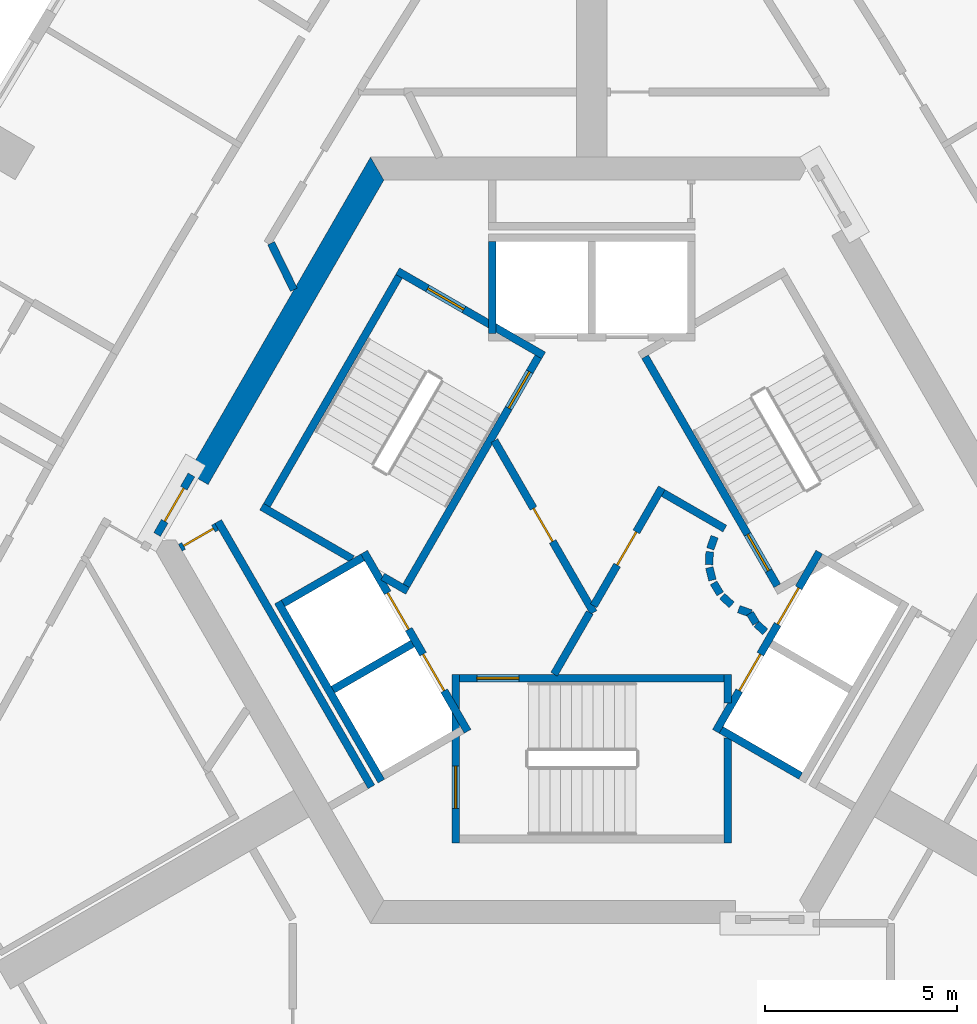
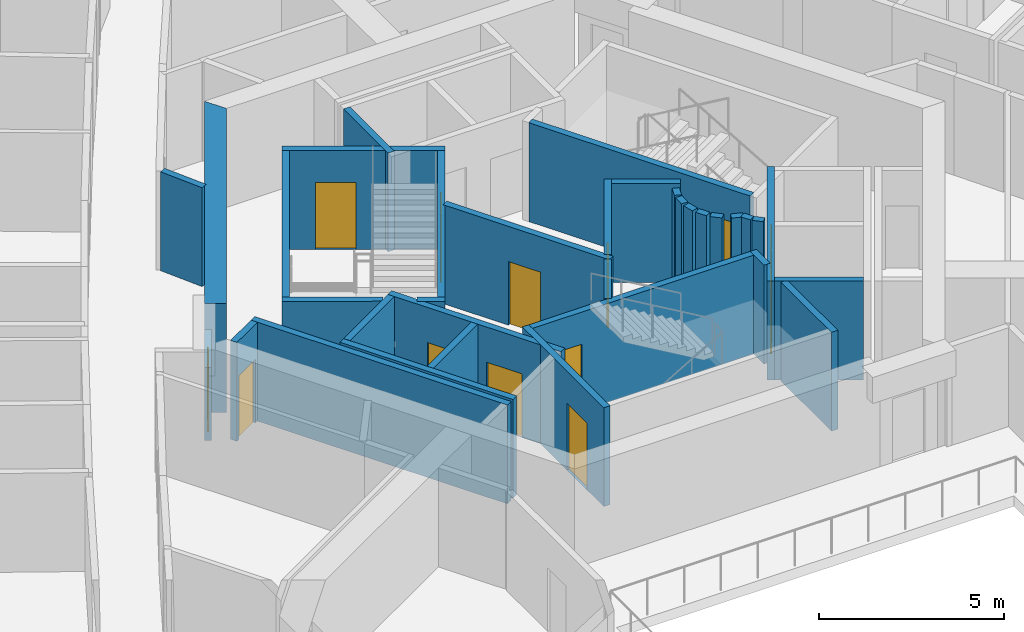
# One storey, part 5 of 13: 34 walls, 13 doors, 13 openings.
"""IFC4 building model written with IfcOpenShell, lengths in metres."""

from ifc_helpers import new_model, si_unit, direction, frame, frame_2d, origin, place, context, subcontext, project, spatial, polyline, rectangle, outline, extrude, material, layer, layer_set, type_object, element, fill, save


model = new_model("IFC4")

# Units and contexts
model_context = context("Model", 3, precision=1e-05, world=origin(), true_north=direction((0.0, 1.0)))
body_context = subcontext(model_context, "Body", "Model", "MODEL_VIEW")
ifc_project = project(units=[si_unit("LENGTHUNIT", "METRE"), si_unit("AREAUNIT", "SQUARE_METRE"), si_unit("VOLUMEUNIT", "CUBIC_METRE"), si_unit("PLANEANGLEUNIT", "RADIAN"), si_unit("MASSUNIT", "GRAM", prefix="KILO")], contexts=[model_context])

# Site, building, storey
site_placement = place(None, origin())
site = spatial("IfcSite", under=ifc_project, at=site_placement, CompositionType="ELEMENT")
building_placement = place(site_placement, origin())
building = spatial("IfcBuilding", under=site, at=building_placement, Name="Entoto Arch Interchange Tower", CompositionType="ELEMENT")
storey_placement = place(building_placement, frame((0.0, 0.0, 270.199951171875)))
storey = spatial("IfcBuildingStorey", under=building, at=storey_placement, Name="L62", CompositionType="ELEMENT", Elevation=270.199951171875)

# Wall, opening, door
ifc_material_1 = material(Name="Reinforced concrete C40/50", Category="concrete")
ifc_layer_1 = layer(ifc_material_1, 0.199951171875)
ifc_layer_set_1 = layer_set([ifc_layer_1], Name="Reinforced concrete C40/50")
wall_type_1 = type_object("IfcWallType", Name="CORE GAP INFILL WALL", PredefinedType="PARTITIONING", material=ifc_layer_set_1)
wall_1_placement = place(storey_placement, frame((-10.448974609375, 4.202880859375, 0.0), z_axis=(0.0, 0.0, 1.0), x_axis=(-0.499914839587, -0.866074565589, 0.0)))
wall_1 = element("IfcWall", 1, at=wall_1_placement, inside=storey, type_object=wall_type_1, Name="wall:L62:gap3", PredefinedType="PARTITIONING", context=body_context, shape_type="SweptSolid", body=[
    extrude(rectangle(XDim=1.794189453125, YDim=0.199951171875, at=frame_2d((0.89697265625, 0.0))), origin(), (0.0, 0.0, 1.0), 2.400146484375),
])
opening_1_placement = place(wall_1_placement, frame((0.39697265625, 0.0, 0.0)))
opening_1 = element("IfcOpeningElement", 2, at=opening_1_placement, cuts=wall_1, Name="Opening L62-D93", PredefinedType="OPENING", context=body_context, shape_type="SweptSolid", body=[
    extrude(rectangle(XDim=1.0, YDim=2.10009765625, at=frame_2d((0.5, 1.050048828125))), frame((0.0, 0.10986328125, 0.0), z_axis=(0.0, -1.0, 0.0), x_axis=(1.0, 0.0, 0.0)), (0.0, 0.0, 1.0), 0.219970703125),
])
ifc_material_2 = material(Name="Fire-rated Steel S235 door and frame", Category="steel")
door_type_1 = type_object("IfcDoorType", Name="DOOR FD-10 1000x2100", OperationType="SINGLE_SWING_LEFT", PredefinedType="DOOR", material=ifc_material_2)
door_1_placement = place(opening_1_placement, origin())
door_1 = element("IfcDoor", 3, at=door_1_placement, inside=storey, type_object=door_type_1, Name="door:L62:gap3", OperationType="SINGLE_SWING_LEFT", OverallHeight=2.10009765625, OverallWidth=1.0, PredefinedType="DOOR", context=body_context, shape_type="SweptSolid", body=[
    extrude(rectangle(XDim=1.0, YDim=2.10009765625, at=frame_2d((0.5, 1.050048828125))), frame((0.0, 0.02490234375, 0.0), z_axis=(0.0, -1.0, 0.0), x_axis=(1.0, 0.0, 0.0)), (0.0, 0.0, 1.0), 0.050048828125),
])
fill(opening_1, door_1)

# Walls
ifc_material_3 = material(Name="Concrete C40/50", Category="concrete")
ifc_layer_2 = layer(ifc_material_3, 0.60009765625)
ifc_layer_set_2 = layer_set([ifc_layer_2], Name="Concrete C40/50")
wall_type_2 = type_object("IfcWallType", Name="Core wall 600 C40/50", PredefinedType="SHEAR", material=ifc_layer_set_2)
wall_2_placement = place(storey_placement, frame((0.0, 0.0, -0.33984375)))
element("IfcWall", 4, at=wall_2_placement, inside=storey, type_object=wall_type_2, Name="Core wall NW L62", PredefinedType="SHEAR", context=body_context, shape_type="SweptSolid", body=[
    extrude(outline(polyline([(-10.534912109375, 4.2529296875), (-10.014892578125, 3.952880859375), (-5.427001953125, 11.89990234375), (-5.77392578125, 12.5), (-10.534912109375, 4.2529296875)])), origin(), (0.0, 0.0, 1.0), 3.599853515625),
])
ifc_layer_3 = layer(ifc_material_3, 0.199951171875)
ifc_layer_set_3 = layer_set([ifc_layer_3], Name="Concrete C40/50")
wall_type_3 = type_object("IfcWallType", Name="LIFT SHAFT WALL 200", PredefinedType="STANDARD", material=ifc_layer_set_3)
wall_3_placement = place(storey_placement, frame((-2.60009765625, 7.89990234375, 0.0), z_axis=(0.0, 0.0, 1.0), x_axis=(0.0, 1.0, 0.0)))
element("IfcWall", 5, at=wall_3_placement, inside=storey, type_object=wall_type_3, Name="Shaft wall N1 cross 3", PredefinedType="STANDARD", context=body_context, shape_type="SweptSolid", body=[
    extrude(rectangle(XDim=2.400146484375, YDim=0.199951171875, at=frame_2d((1.2001953125, 0.0))), origin(), (0.0, 0.0, 1.0), 3.260009765625),
])

# Wall, openings, doors
wall_4_placement = place(storey_placement, frame((-5.93994140625, 2.18798828125, 0.0), z_axis=(0.0, 0.0, 1.0), x_axis=(0.500034260056, -0.866005622828, 0.0)))
wall_4 = element("IfcWall", 6, at=wall_4_placement, inside=storey, type_object=wall_type_3, Name="Shaft wall SW1 front", PredefinedType="STANDARD", context=body_context, shape_type="SweptSolid", body=[
    extrude(rectangle(XDim=5.3994140625, YDim=0.199951171875, at=frame_2d((2.69970703125, 0.0))), origin(), (0.0, 0.0, 1.0), 3.260009765625),
])
opening_2_placement = place(wall_4_placement, frame((3.074951171875, 0.0, 0.0)))
opening_2 = element("IfcOpeningElement", 7, at=opening_2_placement, cuts=wall_4, Name="Opening LD-HR4-L62", PredefinedType="OPENING", context=body_context, shape_type="SweptSolid", body=[
    extrude(rectangle(XDim=1.10009765625, YDim=2.10009765625, at=frame_2d((0.550048828125, 1.050048828125))), frame((0.0, 0.10986328125, 0.0), z_axis=(0.0, -1.0, 0.0), x_axis=(1.0, 0.0, 0.0)), (0.0, 0.0, 1.0), 0.219970703125),
])
opening_3_placement = place(wall_4_placement, frame((1.22509765625, 0.0, 0.0)))
opening_3 = element("IfcOpeningElement", 8, at=opening_3_placement, cuts=wall_4, Name="Opening LD-FF2-L62", PredefinedType="OPENING", context=body_context, shape_type="SweptSolid", body=[
    extrude(rectangle(XDim=1.10009765625, YDim=2.10009765625, at=frame_2d((0.550048828125, 1.050048828125))), frame((0.0, 0.10986328125, 0.0), z_axis=(0.0, -1.0, 0.0), x_axis=(1.0, 0.0, 0.0)), (0.0, 0.0, 1.0), 0.219970703125),
])
ifc_material_4 = material(Name="Stainless steel 1.4301 panels", Category="steel")
door_type_2 = type_object("IfcDoorType", Name="LIFT LANDING DOOR LD1 1100x2100", OperationType="SLIDING_TO_LEFT", PredefinedType="DOOR", material=ifc_material_4)
door_2_placement = place(opening_2_placement, origin())
door_2 = element("IfcDoor", 9, at=door_2_placement, inside=storey, type_object=door_type_2, Name="Lift landing door HR4 L62", OperationType="SLIDING_TO_LEFT", OverallHeight=2.10009765625, OverallWidth=1.10009765625, PredefinedType="DOOR", context=body_context, shape_type="SweptSolid", body=[
    extrude(rectangle(XDim=1.10009765625, YDim=2.10009765625, at=frame_2d((0.550048828125, 1.050048828125))), frame((0.0, 0.02490234375, 0.0), z_axis=(0.0, -1.0, 0.0), x_axis=(1.0, 0.0, 0.0)), (0.0, 0.0, 1.0), 0.050048828125),
])
fill(opening_2, door_2)
door_3_placement = place(opening_3_placement, origin())
door_3 = element("IfcDoor", 10, at=door_3_placement, inside=storey, type_object=door_type_2, Name="Lift landing door FF2 L62", OperationType="SLIDING_TO_LEFT", OverallHeight=2.10009765625, OverallWidth=1.10009765625, PredefinedType="DOOR", context=body_context, shape_type="SweptSolid", body=[
    extrude(rectangle(XDim=1.10009765625, YDim=2.10009765625, at=frame_2d((0.550048828125, 1.050048828125))), frame((0.0, 0.02490234375, 0.0), z_axis=(0.0, -1.0, 0.0), x_axis=(1.0, 0.0, 0.0)), (0.0, 0.0, 1.0), 0.050048828125),
])
fill(opening_3, door_3)

# Walls
wall_5_placement = place(storey_placement, frame((-8.19189453125, 0.887939453125, 0.0), z_axis=(0.0, 0.0, 1.0), x_axis=(0.500034260056, -0.866005622828, 0.0)))
element("IfcWall", 11, at=wall_5_placement, inside=storey, type_object=wall_type_3, Name="Shaft wall SW1 back", PredefinedType="STANDARD", context=body_context, shape_type="SweptSolid", body=[
    extrude(rectangle(XDim=5.3994140625, YDim=0.199951171875, at=frame_2d((2.69970703125, 0.0))), origin(), (0.0, 0.0, 1.0), 3.260009765625),
])
for number, where, z_axis, x_axis, name in (
    (12, (-5.97705078125, 2.052001953125, 0.0), (0.0, 0.0, 1.0), (-0.865973769406, -0.500089422704, 0.0), "Shaft wall SW1 cross 1"),
    (13, (-4.677001953125, -0.199951171875, 0.0), (0.0, 0.0, 1.0), (-0.865973769406, -0.500089422704, 0.0), "Shaft wall SW1 cross 2"),
):
    element("IfcWall", number, at=place(storey_placement, frame(where, z_axis=z_axis, x_axis=x_axis)), inside=storey, type_object=wall_type_3, Name=name, PredefinedType="STANDARD", context=body_context, shape_type="SweptSolid", body=[
        extrude(rectangle(XDim=2.3994140625, YDim=0.199951171875, at=frame_2d((1.19970703125, 0.0))), origin(), (0.0, 0.0, 1.0), 3.260009765625),
    ])

# Wall, openings, doors
wall_6_placement = place(storey_placement, frame((3.239990234375, -2.488037109375, 0.0), z_axis=(0.0, 0.0, 1.0), x_axis=(0.500034260056, 0.866005622828, 0.0)))
wall_6 = element("IfcWall", 14, at=wall_6_placement, inside=storey, type_object=wall_type_3, Name="Shaft wall SE1 front", PredefinedType="STANDARD", context=body_context, shape_type="SweptSolid", body=[
    extrude(rectangle(XDim=5.3994140625, YDim=0.199951171875, at=frame_2d((2.69970703125, 0.0))), origin(), (0.0, 0.0, 1.0), 3.260009765625),
])
opening_4_placement = place(wall_6_placement, frame((3.22509765625, 0.0, 0.0)))
opening_4 = element("IfcOpeningElement", 15, at=opening_4_placement, cuts=wall_6, Name="Opening LD-HR3-L62", PredefinedType="OPENING", context=body_context, shape_type="SweptSolid", body=[
    extrude(rectangle(XDim=1.10009765625, YDim=2.10009765625, at=frame_2d((0.550048828125, 1.050048828125))), frame((0.0, 0.10986328125, 0.0), z_axis=(0.0, -1.0, 0.0), x_axis=(1.0, 0.0, 0.0)), (0.0, 0.0, 1.0), 0.219970703125),
])
opening_5_placement = place(wall_6_placement, frame((1.22509765625, 0.0, 0.0)))
opening_5 = element("IfcOpeningElement", 16, at=opening_5_placement, cuts=wall_6, Name="Opening LD-FF1-L62", PredefinedType="OPENING", context=body_context, shape_type="SweptSolid", body=[
    extrude(rectangle(XDim=1.10009765625, YDim=2.10009765625, at=frame_2d((0.550048828125, 1.050048828125))), frame((0.0, 0.10986328125, 0.0), z_axis=(0.0, -1.0, 0.0), x_axis=(1.0, 0.0, 0.0)), (0.0, 0.0, 1.0), 0.219970703125),
])
door_4_placement = place(opening_4_placement, origin())
door_4 = element("IfcDoor", 17, at=door_4_placement, inside=storey, type_object=door_type_2, Name="Lift landing door HR3 L62", OperationType="SLIDING_TO_LEFT", OverallHeight=2.10009765625, OverallWidth=1.10009765625, PredefinedType="DOOR", context=body_context, shape_type="SweptSolid", body=[
    extrude(rectangle(XDim=1.10009765625, YDim=2.10009765625, at=frame_2d((0.550048828125, 1.050048828125))), frame((0.0, 0.02490234375, 0.0), z_axis=(0.0, -1.0, 0.0), x_axis=(1.0, 0.0, 0.0)), (0.0, 0.0, 1.0), 0.050048828125),
])
fill(opening_4, door_4)
door_5_placement = place(opening_5_placement, origin())
door_5 = element("IfcDoor", 18, at=door_5_placement, inside=storey, type_object=door_type_2, Name="Lift landing door FF1 L62", OperationType="SLIDING_TO_LEFT", OverallHeight=2.10009765625, OverallWidth=1.10009765625, PredefinedType="DOOR", context=body_context, shape_type="SweptSolid", body=[
    extrude(rectangle(XDim=1.10009765625, YDim=2.10009765625, at=frame_2d((0.550048828125, 1.050048828125))), frame((0.0, 0.02490234375, 0.0), z_axis=(0.0, -1.0, 0.0), x_axis=(1.0, 0.0, 0.0)), (0.0, 0.0, 1.0), 0.050048828125),
])
fill(opening_5, door_5)

# Walls
wall_7_placement = place(storey_placement, frame((3.376953125, -2.451904296875, 0.0), z_axis=(0.0, 0.0, 1.0), x_axis=(0.865955154139, -0.50012165622, 0.0)))
element("IfcWall", 19, at=wall_7_placement, inside=storey, type_object=wall_type_3, Name="Shaft wall SE1 cross 1", PredefinedType="STANDARD", context=body_context, shape_type="SweptSolid", body=[
    extrude(rectangle(XDim=2.39990234375, YDim=0.199951171875, at=frame_2d((1.199951171875, 0.0))), origin(), (0.0, 0.0, 1.0), 3.260009765625),
])
ifc_material_5 = material(Name="Gypsum board partition on steel studs", Category="steel")
ifc_layer_4 = layer(ifc_material_5, 0.199951171875)
ifc_layer_set_4 = layer_set([ifc_layer_4], Name="Gypsum board partition on steel studs")
wall_type_4 = type_object("IfcWallType", Name="PARTITION 200", PredefinedType="PARTITIONING", material=ifc_layer_set_4)
wall_8_placement = place(storey_placement, frame((-8.3701171875, 10.251953125, 0.0), z_axis=(0.0, 0.0, 1.0), x_axis=(0.440562172885, -0.897722101668, 0.0)))
element("IfcWall", 20, at=wall_8_placement, inside=storey, type_object=wall_type_4, Name="wall:L62:p005", PredefinedType="PARTITIONING", context=body_context, shape_type="SweptSolid", body=[
    extrude(rectangle(XDim=1.353271484375, YDim=0.199951171875, at=frame_2d((0.6767578125, 0.0))), origin(), (0.0, 0.0, 1.0), 3.260009765625),
])

# Wall, opening, door
wall_9_placement = place(storey_placement, frame((-10.740966796875, 2.302978515625, 0.0), z_axis=(0.0, 0.0, 1.0), x_axis=(0.866063652425, 0.499933745558, 0.0)))
wall_9 = element("IfcWall", 21, at=wall_9_placement, inside=storey, type_object=wall_type_4, Name="wall:L62:p079", PredefinedType="PARTITIONING", context=body_context, shape_type="SweptSolid", body=[
    extrude(rectangle(XDim=1.100341796875, YDim=0.199951171875, at=frame_2d((0.55029296875, 0.0))), origin(), (0.0, 0.0, 1.0), 3.260009765625),
])
opening_6_placement = place(wall_9_placement, frame((0.10009765625, 0.0, 0.0)))
opening_6 = element("IfcOpeningElement", 22, at=opening_6_placement, cuts=wall_9, Name="Opening L62-D39", PredefinedType="OPENING", context=body_context, shape_type="SweptSolid", body=[
    extrude(rectangle(XDim=0.89990234375, YDim=2.10009765625, at=frame_2d((0.449951171875, 1.050048828125))), frame((0.0, 0.10986328125, 0.0), z_axis=(0.0, -1.0, 0.0), x_axis=(1.0, 0.0, 0.0)), (0.0, 0.0, 1.0), 0.219970703125),
])
ifc_material_6 = material(Name="Timber door leaf in Steel S235 frame", Category="steel")
door_type_3 = type_object("IfcDoorType", Name="DOOR DS-09 900x2100", OperationType="SINGLE_SWING_LEFT", PredefinedType="DOOR", material=ifc_material_6)
door_6_placement = place(opening_6_placement, origin())
door_6 = element("IfcDoor", 23, at=door_6_placement, inside=storey, type_object=door_type_3, Name="door:L62:39", OperationType="SINGLE_SWING_RIGHT", OverallHeight=2.10009765625, OverallWidth=0.89990234375, PredefinedType="DOOR", context=body_context, shape_type="SweptSolid", body=[
    extrude(rectangle(XDim=0.89990234375, YDim=2.10009765625, at=frame_2d((0.449951171875, 1.050048828125))), frame((0.0, 0.02490234375, 0.0), z_axis=(0.0, -1.0, 0.0), x_axis=(1.0, 0.0, 0.0)), (0.0, 0.0, 1.0), 0.050048828125),
])
fill(opening_6, door_6)

# Walls
wall_10_placement = place(storey_placement, frame((-9.7509765625, 2.989990234375, 0.0), z_axis=(0.0, 0.0, 1.0), x_axis=(0.500012163284, -0.866018381195, 0.0)))
element("IfcWall", 24, at=wall_10_placement, inside=storey, type_object=wall_type_4, Name="wall:L62:p080", PredefinedType="PARTITIONING", context=body_context, shape_type="SweptSolid", body=[
    extrude(rectangle(XDim=7.999755859375, YDim=0.199951171875, at=frame_2d((4.0, 0.0))), origin(), (0.0, 0.0, 1.0), 3.260009765625),
])
wall_11_placement = place(storey_placement, frame((-0.98193359375, -1.0, 0.0), z_axis=(0.0, 0.0, 1.0), x_axis=(0.50024047865, 0.865886518847, 0.0)))
element("IfcWall", 25, at=wall_11_placement, inside=storey, type_object=wall_type_4, Name="wall:L62:p086", PredefinedType="PARTITIONING", context=body_context, shape_type="SweptSolid", body=[
    extrude(rectangle(XDim=1.86279296875, YDim=0.199951171875, at=frame_2d((0.931396484375, 0.0))), origin(), (0.0, 0.0, 1.0), 3.260009765625),
])

# Wall, opening, door
wall_12_placement = place(storey_placement, frame((0.050048828125, 0.787109375, 0.0), z_axis=(0.0, 0.0, 1.0), x_axis=(0.499954076797, 0.866051915934, 0.0)))
wall_12 = element("IfcWall", 26, at=wall_12_placement, inside=storey, type_object=wall_type_4, Name="wall:L62:p087", PredefinedType="PARTITIONING", context=body_context, shape_type="SweptSolid", body=[
    extrude(rectangle(XDim=3.558349609375, YDim=0.199951171875, at=frame_2d((1.779296875, 0.0))), origin(), (0.0, 0.0, 1.0), 3.260009765625),
])
opening_7_placement = place(wall_12_placement, frame((1.22900390625, 0.0, 0.0)))
opening_7 = element("IfcOpeningElement", 27, at=opening_7_placement, cuts=wall_12, Name="Opening L62-D35", PredefinedType="OPENING", context=body_context, shape_type="SweptSolid", body=[
    extrude(rectangle(XDim=1.0, YDim=2.10009765625, at=frame_2d((0.5, 1.050048828125))), frame((0.0, 0.10986328125, 0.0), z_axis=(0.0, -1.0, 0.0), x_axis=(1.0, 0.0, 0.0)), (0.0, 0.0, 1.0), 0.219970703125),
])
door_7_placement = place(opening_7_placement, origin())
door_7 = element("IfcDoor", 28, at=door_7_placement, inside=storey, type_object=door_type_1, Name="door:L62:35", OperationType="SINGLE_SWING_RIGHT", OverallHeight=2.10009765625, OverallWidth=1.0, PredefinedType="DOOR", context=body_context, shape_type="SweptSolid", body=[
    extrude(rectangle(XDim=1.0, YDim=2.10009765625, at=frame_2d((0.5, 1.050048828125))), frame((0.0, 0.02490234375, 0.0), z_axis=(0.0, -1.0, 0.0), x_axis=(1.0, 0.0, 0.0)), (0.0, 0.0, 1.0), 0.050048828125),
])
fill(opening_7, door_7)

# Walls
wall_13_placement = place(storey_placement, frame((1.865966796875, 3.73193359375, 0.0), z_axis=(0.0, 0.0, 1.0), x_axis=(0.866043361281, -0.499968895414, 0.0)))
element("IfcWall", 29, at=wall_13_placement, inside=storey, type_object=wall_type_4, Name="wall:L62:p088", PredefinedType="PARTITIONING", context=body_context, shape_type="SweptSolid", body=[
    extrude(rectangle(XDim=1.85791015625, YDim=0.199951171875, at=frame_2d((0.928955078125, 0.0))), origin(), (0.0, 0.0, 1.0), 3.260009765625),
])
wall_14_placement = place(storey_placement, frame((3.2080078125, 2.592041015625, 0.0), z_axis=(0.0, 0.0, 1.0), x_axis=(-0.337388820924, -0.941365382578, 0.0)))
element("IfcWall", 30, at=wall_14_placement, inside=storey, type_object=wall_type_4, Name="wall:L62:p089", PredefinedType="PARTITIONING", context=body_context, shape_type="SweptSolid", body=[
    extrude(rectangle(XDim=0.337890625, YDim=0.199951171875, at=frame_2d((0.1689453125, 0.0))), origin(), (0.0, 0.0, 1.0), 3.260009765625),
])
wall_15_placement = place(storey_placement, frame((3.0791015625, 2.198974609375, 0.0), z_axis=(0.0, 0.0, 1.0), x_axis=(-0.047771483479, -0.998858290933, 0.0)))
element("IfcWall", 31, at=wall_15_placement, inside=storey, type_object=wall_type_4, Name="wall:L62:p090", PredefinedType="PARTITIONING", context=body_context, shape_type="SweptSolid", body=[
    extrude(rectangle(XDim=0.33740234375, YDim=0.199951171875, at=frame_2d((0.168701171875, 0.0))), origin(), (0.0, 0.0, 1.0), 3.260009765625),
])
wall_16_placement = place(storey_placement, frame((3.070068359375, 1.785888671875, 0.0), z_axis=(0.0, 0.0, 1.0), x_axis=(0.242705583207, -0.970099994784, 0.0)))
element("IfcWall", 32, at=wall_16_placement, inside=storey, type_object=wall_type_4, Name="wall:L62:p091", PredefinedType="PARTITIONING", context=body_context, shape_type="SweptSolid", body=[
    extrude(rectangle(XDim=0.337890625, YDim=0.199951171875, at=frame_2d((0.1689453125, 0.0))), origin(), (0.0, 0.0, 1.0), 3.260009765625),
])
for number, where, z_axis, x_axis, name in (
    (33, (3.181884765625, 1.387939453125, 0.0), (0.0, 0.0, 1.0), (0.512474702713, -0.85870232274, 0.0), "wall:L62:p092"),
    (34, (3.404052734375, 1.0390625, 0.0), (0.0, 0.0, 1.0), (0.740267097712, -0.672312891476, 0.0), "wall:L62:p093"),
):
    element("IfcWall", number, at=place(storey_placement, frame(where, z_axis=z_axis, x_axis=x_axis)), inside=storey, type_object=wall_type_4, Name=name, PredefinedType="PARTITIONING", context=body_context, shape_type="SweptSolid", body=[
        extrude(rectangle(XDim=0.337646484375, YDim=0.199951171875, at=frame_2d((0.1689453125, 0.0))), origin(), (0.0, 0.0, 1.0), 3.260009765625),
    ])
wall_17_placement = place(storey_placement, frame((3.837890625, 0.701904296875, 0.0), z_axis=(0.0, 0.0, 1.0), x_axis=(0.941035081519, -0.338308993895, 0.0)))
element("IfcWall", 35, at=wall_17_placement, inside=storey, type_object=wall_type_4, Name="wall:L62:p094", PredefinedType="PARTITIONING", context=body_context, shape_type="SweptSolid", body=[
    extrude(rectangle(XDim=0.3369140625, YDim=0.199951171875, at=frame_2d((0.16845703125, 0.0))), origin(), (0.0, 0.0, 1.0), 3.260009765625),
])
wall_18_placement = place(storey_placement, frame((4.132080078125, 0.593017578125, 0.0), z_axis=(0.0, 0.0, 1.0), x_axis=(0.513561617048, -0.858052717201, 0.0)))
element("IfcWall", 36, at=wall_18_placement, inside=storey, type_object=wall_type_4, Name="wall:L62:p095", PredefinedType="PARTITIONING", context=body_context, shape_type="SweptSolid", body=[
    extrude(rectangle(XDim=0.3076171875, YDim=0.199951171875, at=frame_2d((0.15380859375, 0.0))), origin(), (0.0, 0.0, 1.0), 3.260009765625),
])
wall_19_placement = place(storey_placement, frame((4.301025390625, 0.31494140625, 0.0), z_axis=(0.0, 0.0, 1.0), x_axis=(0.741798017506, -0.670623367639, 0.0)))
element("IfcWall", 37, at=wall_19_placement, inside=storey, type_object=wall_type_4, Name="wall:L62:p096", PredefinedType="PARTITIONING", context=body_context, shape_type="SweptSolid", body=[
    extrude(rectangle(XDim=0.30859375, YDim=0.199951171875, at=frame_2d((0.154296875, 0.0))), origin(), (0.0, 0.0, 1.0), 3.260009765625),
])

# Wall, opening, door
wall_20_placement = place(storey_placement, frame((-2.5400390625, 5.10009765625, 0.0), z_axis=(0.0, 0.0, 1.0), x_axis=(0.499925051871, -0.866068670783, 0.0)))
wall_20 = element("IfcWall", 38, at=wall_20_placement, inside=storey, type_object=wall_type_4, Name="wall:L62:p097", PredefinedType="PARTITIONING", context=body_context, shape_type="SweptSolid", body=[
    extrude(rectangle(XDim=5.180908203125, YDim=0.199951171875, at=frame_2d((2.59033203125, 0.0))), origin(), (0.0, 0.0, 1.0), 3.260009765625),
])
opening_8_placement = place(wall_20_placement, frame((2.0400390625, 0.0, 0.0)))
opening_8 = element("IfcOpeningElement", 39, at=opening_8_placement, cuts=wall_20, Name="Opening L62-D36", PredefinedType="OPENING", context=body_context, shape_type="SweptSolid", body=[
    extrude(rectangle(XDim=1.0, YDim=2.10009765625, at=frame_2d((0.5, 1.050048828125))), frame((0.0, 0.10986328125, 0.0), z_axis=(0.0, -1.0, 0.0), x_axis=(1.0, 0.0, 0.0)), (0.0, 0.0, 1.0), 0.219970703125),
])
door_8_placement = place(opening_8_placement, origin())
door_8 = element("IfcDoor", 40, at=door_8_placement, inside=storey, type_object=door_type_1, Name="door:L62:36", OperationType="SINGLE_SWING_RIGHT", OverallHeight=2.10009765625, OverallWidth=1.0, PredefinedType="DOOR", context=body_context, shape_type="SweptSolid", body=[
    extrude(rectangle(XDim=1.0, YDim=2.10009765625, at=frame_2d((0.5, 1.050048828125))), frame((0.0, 0.02490234375, 0.0), z_axis=(0.0, -1.0, 0.0), x_axis=(1.0, 0.0, 0.0)), (0.0, 0.0, 1.0), 0.050048828125),
])
fill(opening_8, door_8)

ifc_layer_5 = layer(ifc_material_3, 0.199951171875)
ifc_layer_set_5 = layer_set([ifc_layer_5], Name="Concrete C40/50")
wall_type_5 = type_object("IfcWallType", Name="STAIR ENCLOSURE WALL 200", PredefinedType="STANDARD", material=ifc_layer_set_5)
wall_21_placement = place(storey_placement, frame((-3.550048828125, -1.0, 0.0), z_axis=(0.0, 0.0, 1.0), x_axis=(0.0, -1.0, 0.0)))
wall_21 = element("IfcWall", 41, at=wall_21_placement, inside=storey, type_object=wall_type_5, Name="Stair wall ST-S near", PredefinedType="STANDARD", context=body_context, shape_type="SweptSolid", body=[
    extrude(rectangle(XDim=4.39990234375, YDim=0.199951171875, at=frame_2d((2.199951171875, 0.0))), origin(), (0.0, 0.0, 1.0), 3.260009765625),
])
opening_9_placement = place(wall_21_placement, frame((2.39990234375, 0.0, 0.0)))
opening_9 = element("IfcOpeningElement", 42, at=opening_9_placement, cuts=wall_21, Name="Opening SD-ST-S-L62-E", PredefinedType="OPENING", context=body_context, shape_type="SweptSolid", body=[
    extrude(rectangle(XDim=1.10009765625, YDim=2.199951171875, at=frame_2d((0.550048828125, 1.10009765625))), frame((0.0, 0.10986328125, 0.0), z_axis=(0.0, -1.0, 0.0), x_axis=(1.0, 0.0, 0.0)), (0.0, 0.0, 1.0), 0.219970703125),
])
ifc_material_7 = material(Name="Steel S235", Category="steel")
door_type_4 = type_object("IfcDoorType", Name="STAIR DOOR SD1 1100x2200", OperationType="SINGLE_SWING_LEFT", PredefinedType="DOOR", material=ifc_material_7)
door_9_placement = place(opening_9_placement, origin())
door_9 = element("IfcDoor", 43, at=door_9_placement, inside=storey, type_object=door_type_4, Name="Stair door ST-S L62 end", OperationType="SINGLE_SWING_LEFT", OverallHeight=2.199951171875, OverallWidth=1.10009765625, PredefinedType="DOOR", context=body_context, shape_type="SweptSolid", body=[
    extrude(rectangle(XDim=1.10009765625, YDim=2.199951171875, at=frame_2d((0.550048828125, 1.10009765625))), frame((0.0, 0.02490234375, 0.0), z_axis=(0.0, -1.0, 0.0), x_axis=(1.0, 0.0, 0.0)), (0.0, 0.0, 1.0), 0.050048828125),
])
fill(opening_9, door_9)

# Walls
wall_22_placement = place(storey_placement, frame((3.550048828125, -2.6669921875, 0.0), z_axis=(0.0, 0.0, 1.0), x_axis=(0.0, -1.0, 0.0)))
element("IfcWall", 44, at=wall_22_placement, inside=storey, type_object=wall_type_5, Name="Stair wall ST-S far", PredefinedType="STANDARD", context=body_context, shape_type="SweptSolid", body=[
    extrude(rectangle(XDim=2.73291015625, YDim=0.199951171875, at=frame_2d((1.366455078125, 0.0))), origin(), (0.0, 0.0, 1.0), 3.260009765625),
])
wall_23_placement = place(storey_placement, frame((3.550048828125, -1.0, 0.0), z_axis=(0.0, 0.0, 1.0), x_axis=(0.0, -1.0, 0.0)))
element("IfcWall", 45, at=wall_23_placement, inside=storey, type_object=wall_type_5, Name="Stair wall ST-S far return", PredefinedType="STANDARD", context=body_context, shape_type="SweptSolid", body=[
    extrude(rectangle(XDim=0.7509765625, YDim=0.199951171875, at=frame_2d((0.37548828125, 0.0))), origin(), (0.0, 0.0, 1.0), 3.260009765625),
])

# Wall, opening, door
wall_24_placement = place(storey_placement, frame((-3.449951171875, -1.10009765625, 0.0), z_axis=(0.0, 0.0, 1.0), x_axis=(1.0, 0.0, 0.0)))
wall_24 = element("IfcWall", 46, at=wall_24_placement, inside=storey, type_object=wall_type_5, Name="Stair wall ST-S hall", PredefinedType="STANDARD", context=body_context, shape_type="SweptSolid", body=[
    extrude(rectangle(XDim=6.89990234375, YDim=0.199951171875, at=frame_2d((3.449951171875, 0.0))), origin(), (0.0, 0.0, 1.0), 3.260009765625),
])
opening_10_placement = place(wall_24_placement, frame((0.449951171875, 0.0, 0.0)))
opening_10 = element("IfcOpeningElement", 47, at=opening_10_placement, cuts=wall_24, Name="Opening SD-ST-S-L62", PredefinedType="OPENING", context=body_context, shape_type="SweptSolid", body=[
    extrude(rectangle(XDim=1.10009765625, YDim=2.199951171875, at=frame_2d((0.550048828125, 1.10009765625))), frame((0.0, 0.10986328125, 0.0), z_axis=(0.0, -1.0, 0.0), x_axis=(1.0, 0.0, 0.0)), (0.0, 0.0, 1.0), 0.219970703125),
])
door_10_placement = place(opening_10_placement, origin())
door_10 = element("IfcDoor", 48, at=door_10_placement, inside=storey, type_object=door_type_4, Name="Stair door ST-S L62", OperationType="SINGLE_SWING_LEFT", OverallHeight=2.199951171875, OverallWidth=1.10009765625, PredefinedType="DOOR", context=body_context, shape_type="SweptSolid", body=[
    extrude(rectangle(XDim=1.10009765625, YDim=2.199951171875, at=frame_2d((0.550048828125, 1.10009765625))), frame((0.0, 0.02490234375, 0.0), z_axis=(0.0, -1.0, 0.0), x_axis=(1.0, 0.0, 0.0)), (0.0, 0.0, 1.0), 0.050048828125),
])
fill(opening_10, door_10)

wall_25_placement = place(storey_placement, frame((4.843017578125, 1.31201171875, 0.0), z_axis=(0.0, 0.0, 1.0), x_axis=(-0.499963383562, 0.866046543262, 0.0)))
wall_25 = element("IfcWall", 49, at=wall_25_placement, inside=storey, type_object=wall_type_5, Name="Stair wall ST-NE hall", PredefinedType="STANDARD", context=body_context, shape_type="SweptSolid", body=[
    extrude(rectangle(XDim=6.900390625, YDim=0.199951171875, at=frame_2d((3.4501953125, 0.0))), origin(), (0.0, 0.0, 1.0), 3.260009765625),
])
opening_11_placement = place(wall_25_placement, frame((0.449951171875, 0.0, 0.0)))
opening_11 = element("IfcOpeningElement", 50, at=opening_11_placement, cuts=wall_25, Name="Opening SD-ST-NE-L62", PredefinedType="OPENING", context=body_context, shape_type="SweptSolid", body=[
    extrude(rectangle(XDim=1.10009765625, YDim=2.199951171875, at=frame_2d((0.550048828125, 1.10009765625))), frame((0.0, 0.10986328125, 0.0), z_axis=(0.0, -1.0, 0.0), x_axis=(1.0, 0.0, 0.0)), (0.0, 0.0, 1.0), 0.219970703125),
])
door_11_placement = place(opening_11_placement, origin())
door_11 = element("IfcDoor", 51, at=door_11_placement, inside=storey, type_object=door_type_4, Name="Stair door ST-NE L62", OperationType="SINGLE_SWING_LEFT", OverallHeight=2.199951171875, OverallWidth=1.10009765625, PredefinedType="DOOR", context=body_context, shape_type="SweptSolid", body=[
    extrude(rectangle(XDim=1.10009765625, YDim=2.199951171875, at=frame_2d((0.550048828125, 1.10009765625))), frame((0.0, 0.02490234375, 0.0), z_axis=(0.0, -1.0, 0.0), x_axis=(1.0, 0.0, 0.0)), (0.0, 0.0, 1.0), 0.050048828125),
])
fill(opening_11, door_11)

wall_26_placement = place(storey_placement, frame((-1.256103515625, 7.323974609375, 0.0), z_axis=(0.0, 0.0, 1.0), x_axis=(-0.866046073146, 0.499964197906, 0.0)))
wall_26 = element("IfcWall", 52, at=wall_26_placement, inside=storey, type_object=wall_type_5, Name="Stair wall ST-NW near", PredefinedType="STANDARD", context=body_context, shape_type="SweptSolid", body=[
    extrude(rectangle(XDim=4.400146484375, YDim=0.199951171875, at=frame_2d((2.2001953125, 0.0))), origin(), (0.0, 0.0, 1.0), 3.260009765625),
])
opening_12_placement = place(wall_26_placement, frame((2.39990234375, 0.0, 0.0)))
opening_12 = element("IfcOpeningElement", 53, at=opening_12_placement, cuts=wall_26, Name="Opening SD-ST-NW-L62-E", PredefinedType="OPENING", context=body_context, shape_type="SweptSolid", body=[
    extrude(rectangle(XDim=1.10009765625, YDim=2.199951171875, at=frame_2d((0.550048828125, 1.10009765625))), frame((0.0, 0.10986328125, 0.0), z_axis=(0.0, -1.0, 0.0), x_axis=(1.0, 0.0, 0.0)), (0.0, 0.0, 1.0), 0.219970703125),
])
door_12_placement = place(opening_12_placement, origin())
door_12 = element("IfcDoor", 54, at=door_12_placement, inside=storey, type_object=door_type_4, Name="Stair door ST-NW L62 end", OperationType="SINGLE_SWING_LEFT", OverallHeight=2.199951171875, OverallWidth=1.10009765625, PredefinedType="DOOR", context=body_context, shape_type="SweptSolid", body=[
    extrude(rectangle(XDim=1.10009765625, YDim=2.199951171875, at=frame_2d((0.550048828125, 1.10009765625))), frame((0.0, 0.02490234375, 0.0), z_axis=(0.0, -1.0, 0.0), x_axis=(1.0, 0.0, 0.0)), (0.0, 0.0, 1.0), 0.050048828125),
])
fill(opening_12, door_12)

# Walls
wall_27_placement = place(storey_placement, frame((-6.25, 2.010009765625, 0.0), z_axis=(0.0, 0.0, 1.0), x_axis=(-0.86611865017, 0.499838457731, 0.0)))
element("IfcWall", 55, at=wall_27_placement, inside=storey, type_object=wall_type_5, Name="Stair wall ST-NW far", PredefinedType="STANDARD", context=body_context, shape_type="SweptSolid", body=[
    extrude(rectangle(XDim=2.73291015625, YDim=0.199951171875, at=frame_2d((1.366455078125, 0.0))), origin(), (0.0, 0.0, 1.0), 3.260009765625),
])
wall_28_placement = place(storey_placement, frame((-4.805908203125, 1.176025390625, 0.0), z_axis=(0.0, 0.0, 1.0), x_axis=(-0.866558586415, 0.499075361355, 0.0)))
element("IfcWall", 56, at=wall_28_placement, inside=storey, type_object=wall_type_5, Name="Stair wall ST-NW far return", PredefinedType="STANDARD", context=body_context, shape_type="SweptSolid", body=[
    extrude(rectangle(XDim=0.75146484375, YDim=0.199951171875, at=frame_2d((0.375732421875, 0.0))), origin(), (0.0, 0.0, 1.0), 3.260009765625),
])

# Wall, opening, door
wall_29_placement = place(storey_placement, frame((-1.39306640625, 7.2880859375, 0.0), z_axis=(0.0, 0.0, 1.0), x_axis=(-0.499963383562, -0.866046543262, 0.0)))
wall_29 = element("IfcWall", 57, at=wall_29_placement, inside=storey, type_object=wall_type_5, Name="Stair wall ST-NW hall", PredefinedType="STANDARD", context=body_context, shape_type="SweptSolid", body=[
    extrude(rectangle(XDim=6.900390625, YDim=0.199951171875, at=frame_2d((3.4501953125, 0.0))), origin(), (0.0, 0.0, 1.0), 3.260009765625),
])
opening_13_placement = place(wall_29_placement, frame((0.449951171875, 0.0, 0.0)))
opening_13 = element("IfcOpeningElement", 58, at=opening_13_placement, cuts=wall_29, Name="Opening SD-ST-NW-L62", PredefinedType="OPENING", context=body_context, shape_type="SweptSolid", body=[
    extrude(rectangle(XDim=1.10009765625, YDim=2.199951171875, at=frame_2d((0.550048828125, 1.10009765625))), frame((0.0, 0.10986328125, 0.0), z_axis=(0.0, -1.0, 0.0), x_axis=(1.0, 0.0, 0.0)), (0.0, 0.0, 1.0), 0.219970703125),
])
door_13_placement = place(opening_13_placement, origin())
door_13 = element("IfcDoor", 59, at=door_13_placement, inside=storey, type_object=door_type_4, Name="Stair door ST-NW L62", OperationType="SINGLE_SWING_LEFT", OverallHeight=2.199951171875, OverallWidth=1.10009765625, PredefinedType="DOOR", context=body_context, shape_type="SweptSolid", body=[
    extrude(rectangle(XDim=1.10009765625, YDim=2.199951171875, at=frame_2d((0.550048828125, 1.10009765625))), frame((0.0, 0.02490234375, 0.0), z_axis=(0.0, -1.0, 0.0), x_axis=(1.0, 0.0, 0.0)), (0.0, 0.0, 1.0), 0.050048828125),
])
fill(opening_13, door_13)

# Wall
wall_30_placement = place(storey_placement, frame((-5.030029296875, 9.387939453125, 0.0), z_axis=(0.0, 0.0, 1.0), x_axis=(-0.499978703459, -0.866037698999, 0.0)))
element("IfcWall", 60, at=wall_30_placement, inside=storey, type_object=wall_type_5, Name="Stair wall ST-NW back", PredefinedType="STANDARD", context=body_context, shape_type="SweptSolid", body=[
    extrude(rectangle(XDim=6.900146484375, YDim=0.199951171875, at=frame_2d((3.4501953125, 0.0))), origin(), (0.0, 0.0, 1.0), 3.260009765625),
])

save(model, "model.ifc")
